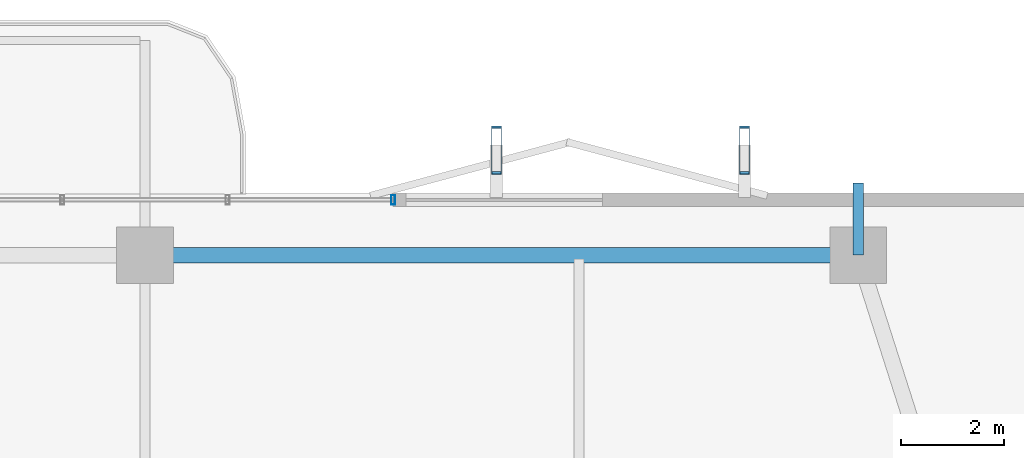
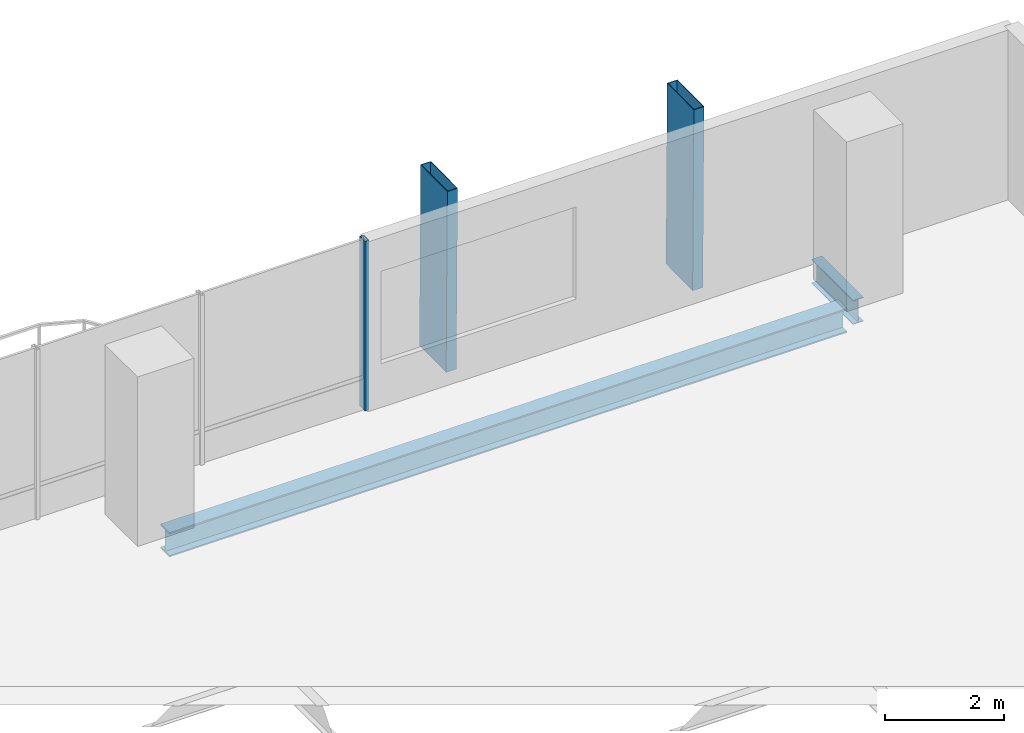
# One storey, part 16 of 24: 3 members, 2 beams, 1 element without a shape of its own.
"""IFC4 building model written with IfcOpenShell, lengths in metres."""

from ifc_helpers import new_model, si_unit, direction, frame, origin, origin_2d, place, context, subcontext, project, spatial, hollow_rectangle, i_section, extrude, material, layer, layer_set, material_profile, profile_set, type_object, element, aggregate, save


model = new_model("IFC4")

# Units and contexts
model_context = context("Model", 3, precision=1e-05, world=origin(), true_north=direction((0.0, 1.0)))
body_context = subcontext(model_context, "Body", "Model", "MODEL_VIEW")
ifc_project = project(units=[si_unit("LENGTHUNIT", "METRE"), si_unit("AREAUNIT", "SQUARE_METRE"), si_unit("VOLUMEUNIT", "CUBIC_METRE"), si_unit("PLANEANGLEUNIT", "RADIAN"), si_unit("MASSUNIT", "GRAM", prefix="KILO")], contexts=[model_context])

# Site, building, storey
site_placement = place(None, origin())
site = spatial("IfcSite", under=ifc_project, at=site_placement, CompositionType="ELEMENT")
building_placement = place(site_placement, origin())
building = spatial("IfcBuilding", under=site, at=building_placement, Name="Belovzor Exchange Tower", CompositionType="ELEMENT")
storey_placement = place(building_placement, frame((0.0, 0.0, 179.550048828125)))
storey = spatial("IfcBuildingStorey", under=building, at=storey_placement, Name="L44", CompositionType="ELEMENT", Elevation=179.550048828125)

# Beam
ifc_material_1 = material(Name="Steel S355", Category="steel")
ifc_material_profile_1 = material_profile(ifc_material_1, i_section(OverallWidth=0.199951171875, OverallDepth=0.5, WebThickness=0.01025390625, FlangeThickness=0.01611328125, at=origin_2d()))
ifc_profile_set_1 = profile_set([ifc_material_profile_1], Name="Steel S355")
beam_type_1 = type_object("IfcBeamType", Name="Planted Balcony Cantilever Beam IPE 500", PredefinedType="BEAM", material=ifc_profile_set_1)
beam_1_placement = place(storey_placement, frame((42.60009765625, 51.89990234375, -0.505126953125), z_axis=(0.0, 1.0, 0.0), x_axis=(-1.0, 0.0, 0.0)))
element("IfcBeam", 1, at=beam_1_placement, inside=storey, type_object=beam_type_1, Name="BC-500 Planted Balcony Cantilever Beam IPE 500", PredefinedType="BEAM", context=body_context, shape_type="SweptSolid", body=[
    extrude(i_section(OverallWidth=0.199951171875, OverallDepth=0.5, WebThickness=0.01025390625, FlangeThickness=0.01611328125, at=origin_2d()), origin(), (0.0, 0.0, 1.0), 1.400146484375),
])

# Members
ifc_material_2 = material(Name="Extruded Architectural Terracotta on Steel S355 Carrier", Category="masonry")
ifc_material_profile_2 = material_profile(ifc_material_2, hollow_rectangle(XDim=0.199951171875, YDim=0.89990234375, WallThickness=0.011962890625, at=origin_2d()))
ifc_profile_set_2 = profile_set([ifc_material_profile_2], Name="Extruded Architectural Terracotta on Steel S355 Carrier")
member_type_1 = type_object("IfcMemberType", Name="Sweeping Terracotta Baguette Fin Assembly 1250", PredefinedType="USERDEFINED", material=ifc_profile_set_2)
for number, where, z_axis, x_axis, name in (
    (2, (35.60009765625, 53.952880859375, -0.255126953125), (0.0, -0.011197214661, 0.999937309227), (1.0, 0.0, 0.0), "FIN-TC125 Terracotta Facade Fin L44 N3"),
    (3, (40.39990234375, 53.952880859375, -0.255126953125), (0.0, -0.011197214661, 0.999937309227), (1.0, 0.0, 0.0), "FIN-TC125 Terracotta Facade Fin L44 N4"),
):
    element("IfcMember", number, at=place(storey_placement, frame(where, z_axis=z_axis, x_axis=x_axis)), inside=storey, type_object=member_type_1, Name=name, ObjectType="FIN", PredefinedType="USERDEFINED", context=body_context, shape_type="SweptSolid", body=[
        extrude(hollow_rectangle(XDim=0.199951171875, YDim=0.89990234375, WallThickness=0.011962890625, at=origin_2d()), origin(), (0.0, 0.0, 1.0), 3.750244140625),
    ])

# Curtain wall, member
ifc_material_3 = material(Name="Anodised Aluminium Framing", Category="aluminium")
ifc_layer = layer(ifc_material_3, 0.179931640625)
ifc_layer_set = layer_set([ifc_layer], Name="Anodised Aluminium Framing")
curtain_wall_type = type_object("IfcCurtainWallType", Name="Recessed Loggia Low-Iron Triple-Glazed Curtain Wall", PredefinedType="NOTDEFINED", material=ifc_layer_set)
curtain_wall_placement = place(storey_placement, origin())
curtain_wall = element("IfcCurtainWall", 4, at=curtain_wall_placement, inside=storey, type_object=curtain_wall_type, Name="CW3 Recessed Loggia Low-Iron Triple-Glazed Curtain Wall L44", PredefinedType="NOTDEFINED")
ifc_material_4 = material(Name="Steel S355", Category="steel")
ifc_material_profile_3 = material_profile(ifc_material_4, hollow_rectangle(XDim=0.074951171875, YDim=0.179931640625, WallThickness=0.0048828125, at=origin_2d()))
ifc_profile_set_3 = profile_set([ifc_material_profile_3], Name="Steel S355")
member_type_2 = type_object("IfcMemberType", Name="Thermally Broken Curtain Wall Mullion 180x75", PredefinedType="MULLION", material=ifc_profile_set_3)
member_placement = place(storey_placement, frame((33.60009765625, 52.969970703125, 0.0), z_axis=(0.0, 0.0, 1.0), x_axis=(1.0, 0.0, 0.0)))
member = element("IfcMember", 5, at=member_placement, type_object=member_type_2, Name="CW-M180 Curtain Wall Mullion 4", PredefinedType="MULLION", context=body_context, shape_type="SweptSolid", body=[
    extrude(hollow_rectangle(XDim=0.074951171875, YDim=0.179931640625, WallThickness=0.0048828125, at=origin_2d()), origin(), (0.0, 0.0, 1.0), 3.494873046875),
])
aggregate(curtain_wall, [member])

# Beam
ifc_material_5 = material(Name="Steel S355", Category="steel")
ifc_material_profile_4 = material_profile(ifc_material_5, i_section(OverallWidth=0.300048828125, OverallDepth=0.5, WebThickness=0.014404296875, FlangeThickness=0.028076171875, at=origin_2d()))
ifc_profile_set_4 = profile_set([ifc_material_profile_4], Name="Steel S355")
beam_type_2 = type_object("IfcBeamType", Name="Zone 3 Waist Primary Girder HEB 500", PredefinedType="BEAM", material=ifc_profile_set_4)
beam_2_placement = place(storey_placement, frame((42.297119140625, 51.89990234375, -0.505126953125), z_axis=(-1.0, 0.0, 0.0), x_axis=(0.0, -1.0, 0.0)))
element("IfcBeam", 6, at=beam_2_placement, inside=storey, type_object=beam_type_2, Name="FG-Z3 Zone 3 Waist Primary Girder HEB 500", PredefinedType="BEAM", context=body_context, shape_type="SweptSolid", body=[
    extrude(i_section(OverallWidth=0.300048828125, OverallDepth=0.5, WebThickness=0.014404296875, FlangeThickness=0.028076171875, at=origin_2d()), origin(), (0.0, 0.0, 1.0), 13.195068359375),
])

save(model, "model.ifc")
